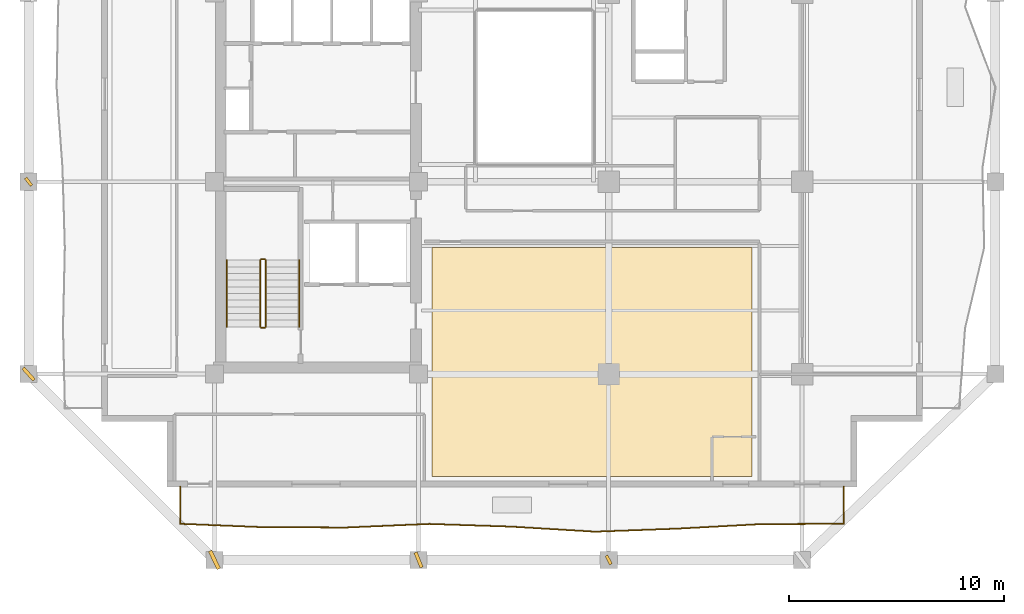
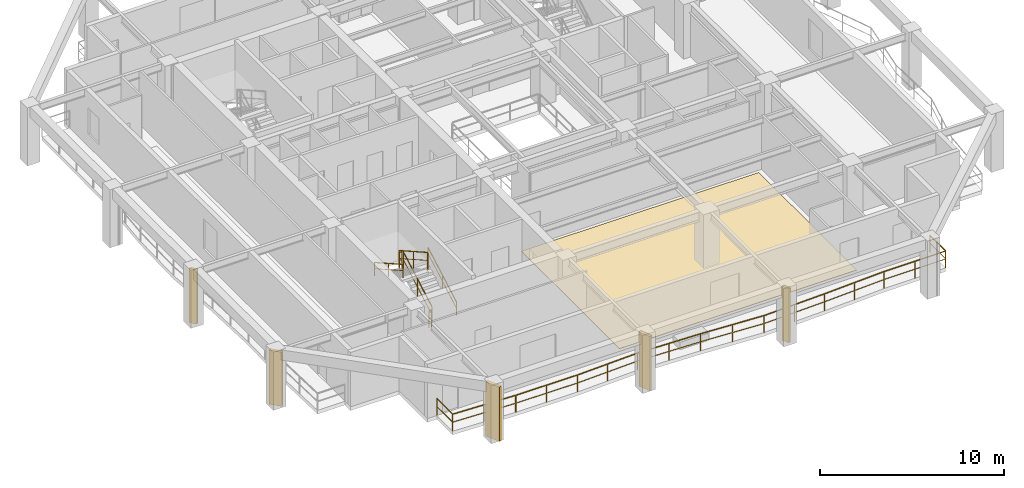
# One storey, part 7 of 10: 7 railings, 5 shading devices, 1 covering.
"""IFC4 building model written with IfcOpenShell, lengths in metres."""

import ifcopenshell
import ifcopenshell.guid

model = None  # the IFC model being written
_history = None  # IfcOwnerHistory: only IFC2X3 demands one
_inside = {}  # id of a spatial element -> (the spatial element, [elements in it])
_under = {}  # id of a project, library or spatial element -> (it, [spatial elements below it])
_declared = {}  # id of a project -> (the project, [libraries it declares])
_typed = {}  # id of a type object -> (the type object, [elements of that type])
_made_of = {}  # id of a material, layer set ... -> (it, [elements and type objects made of it])


def new_model(schema):
    """Start an empty IFC model of exactly this schema.

    Asked for "IFC4X3", IfcOpenShell would pick the latest addendum, in which some entities
    have other attributes; the version numbers below select the first issue.
    IFC2X3 requires an IfcOwnerHistory on every rooted entity: one is made here for all.
    """
    global model, _history
    if schema == "IFC4X3":
        model = ifcopenshell.file(schema_version=(4, 3, 0, 0))
    else:
        model = ifcopenshell.file(schema=schema)
    _inside.clear()
    _under.clear()
    _declared.clear()
    _typed.clear()
    _made_of.clear()
    _history = None
    if model.schema == "IFC2X3":
        org = make("IfcOrganization", Name="unknown")
        user = make(
            "IfcPersonAndOrganization",
            ThePerson=make("IfcPerson", FamilyName="unknown"),
            TheOrganization=org,
        )
        app = make(
            "IfcApplication",
            ApplicationDeveloper=org,
            Version="unknown",
            ApplicationFullName="unknown",
            ApplicationIdentifier="unknown",
        )
        _history = make(
            "IfcOwnerHistory",
            OwningUser=user,
            OwningApplication=app,
            ChangeAction="ADDED",
            CreationDate=0,
        )
    return model


def make(cls, **values):
    """One entity of the class cls with the attributes given. An attribute that is None is left unset."""
    return model.create_entity(
        cls, **{name: value for name, value in values.items() if value is not None}
    )


def rooted(cls, **values):
    """An entity with a GlobalId (a new one), such as an element, a storey or a relation."""
    return make(cls, GlobalId=ifcopenshell.guid.new(), OwnerHistory=_history, **values)


def si_unit(unit_type, name, prefix=None):
    """IfcSIUnit, for example si_unit("LENGTHUNIT", "METRE", prefix="MILLI")."""
    return make("IfcSIUnit", UnitType=unit_type, Prefix=prefix, Name=name)


def assignment(units):
    """IfcUnitAssignment: the units of a project."""
    return None if units is None else make("IfcUnitAssignment", Units=units)


def point(xyz):
    """IfcCartesianPoint."""
    return None if xyz is None else make("IfcCartesianPoint", Coordinates=xyz)


def direction(xyz):
    """IfcDirection."""
    return None if xyz is None else make("IfcDirection", DirectionRatios=xyz)


def frame(location, z_axis=None, x_axis=None):
    """IfcAxis2Placement3D, a coordinate frame: its origin and axes. An axis left out is left unset."""
    return make(
        "IfcAxis2Placement3D",
        Location=point(location),
        Axis=direction(z_axis),
        RefDirection=direction(x_axis),
    )


def frame_2d(location, x_axis=None):
    """IfcAxis2Placement2D, a coordinate frame in the plane: its origin and x axis."""
    return make(
        "IfcAxis2Placement2D", Location=point(location), RefDirection=direction(x_axis)
    )


def origin():
    """The frame at (0, 0, 0) with its axes left unset."""
    return frame((0.0, 0.0, 0.0))


def origin_2d():
    """The frame at (0, 0) in the plane with its x axis left unset."""
    return frame_2d((0.0, 0.0))


def place(relative_to, where):
    """IfcLocalPlacement: puts the frame where relative to a parent placement (None: the world)."""
    return make(
        "IfcLocalPlacement", PlacementRelTo=relative_to, RelativePlacement=where
    )


def context(
    kind, dimensions, precision=None, world=None, true_north=None, identifier=None
):
    """IfcGeometricRepresentationContext, for example the 3D "Model" context."""
    return make(
        "IfcGeometricRepresentationContext",
        ContextIdentifier=identifier,
        ContextType=kind,
        CoordinateSpaceDimension=dimensions,
        Precision=precision,
        WorldCoordinateSystem=world,
        TrueNorth=true_north,
    )


def subcontext(parent, identifier, kind, view, scale=None):
    """IfcGeometricRepresentationSubContext, for example "Body" below "Model"."""
    return make(
        "IfcGeometricRepresentationSubContext",
        ContextIdentifier=identifier,
        ContextType=kind,
        ParentContext=parent,
        TargetScale=scale,
        TargetView=view,
    )


def project(units=None, contexts=None):
    """IfcProject with its units and contexts."""
    return rooted(
        "IfcProject",
        Name="project",
        RepresentationContexts=contexts,
        UnitsInContext=assignment(units),
    )


def spatial(cls, under=None, at=None, **own):
    """A site, building, storey or space (cls), placed at a placement, below another one or the project."""
    s = rooted(cls, ObjectPlacement=at, **own)
    if under is not None:
        _under.setdefault(under.id(), (under, []))[1].append(s)
    return s


def polyline(points):
    """IfcPolyline through the points."""
    return make("IfcPolyline", Points=[point(p) for p in points])


def profile(cls, at=None, kind="AREA", **sizes):
    """A parametric profile (cls). Its sizes go by their IFC names, for example OverallWidth=200.0."""
    return make(cls, ProfileType=kind, Position=at, **sizes)


def rectangle(**sizes):
    """IfcRectangleProfileDef."""
    return profile("IfcRectangleProfileDef", **sizes)


def outline(outer, holes=None, kind="AREA"):
    """IfcArbitraryClosedProfileDef: a profile drawn as a closed curve; with holes, ...WithVoids."""
    if holes is None:
        return make("IfcArbitraryClosedProfileDef", ProfileType=kind, OuterCurve=outer)
    return make(
        "IfcArbitraryProfileDefWithVoids",
        ProfileType=kind,
        OuterCurve=outer,
        InnerCurves=holes,
    )


def extrude(swept, where, along, depth):
    """IfcExtrudedAreaSolid: the profile swept, set in the frame where, extruded along a direction by depth."""
    return make(
        "IfcExtrudedAreaSolid",
        SweptArea=swept,
        Position=where,
        ExtrudedDirection=direction(along),
        Depth=depth,
    )


def shape(context_of_items, identifier, shape_type, items):
    """IfcShapeRepresentation: the items that make up one representation, for example the "Body"."""
    return make(
        "IfcShapeRepresentation",
        ContextOfItems=context_of_items,
        RepresentationIdentifier=identifier,
        RepresentationType=shape_type,
        Items=items,
    )


def material(Name=None, Category=None):
    """IfcMaterial."""
    return make("IfcMaterial", Name=Name, Category=Category)


def layer(
    of_material, thickness, ventilated=None, Name=None, Category=None, Priority=None
):
    """IfcMaterialLayer: one layer of a wall or slab, of a material (None: an air gap)."""
    return make(
        "IfcMaterialLayer",
        Material=of_material,
        LayerThickness=thickness,
        IsVentilated=ventilated,
        Name=Name,
        Category=Category,
        Priority=Priority,
    )


def layer_set(layers, Name=None):
    """IfcMaterialLayerSet."""
    return make("IfcMaterialLayerSet", MaterialLayers=layers, LayerSetName=Name)


def made_of(thing, what):
    """Note that an element or type object is made of a material, layer set ...; save() writes the relation."""
    if what is not None:
        _made_of.setdefault(what.id(), (what, []))[1].append(thing)
    return thing


def type_object(cls, material=None, **own):
    """A type object (cls), such as IfcWallType, which elements share."""
    return made_of(rooted(cls, **own), material)


def element(
    cls,
    number,
    at=None,
    inside=None,
    cuts=None,
    type_object=None,
    material=None,
    context=None,
    identifier="Body",
    shape_type=None,
    held_by="IfcProductDefinitionShape",
    body=None,
    shapes=None,
    **own,
):
    """One element of the class cls, such as IfcWall. Its Tag is "e" and its number.

    at: its placement. inside: the storey or other place that contains it. cuts: it is an
    opening in that element (IfcRelVoidsElement). A single representation is given by context,
    identifier, shape_type and body (its items); several are given by shapes. held_by: the class
    of the entity that holds the representations. save() writes the other relations.
    """
    e = rooted(cls, Tag="e%d" % number, ObjectPlacement=at, **own)
    if body is not None:
        shapes = [shape(context, identifier, shape_type, body)]
    if shapes is not None:
        e.Representation = make(held_by, Representations=shapes)
    if inside is not None:
        _inside.setdefault(inside.id(), (inside, []))[1].append(e)
    if cuts is not None:
        rooted(
            "IfcRelVoidsElement", RelatingBuildingElement=cuts, RelatedOpeningElement=e
        )
    if type_object is not None:
        _typed.setdefault(type_object.id(), (type_object, []))[1].append(e)
    return made_of(e, material)


def aggregate(whole, parts):
    """IfcRelAggregates: a whole, such as a stair, and the parts it consists of."""
    return rooted("IfcRelAggregates", RelatingObject=whole, RelatedObjects=parts)


def save(model, path):
    """Write the relations noted so far, then the file.

    IfcRelAggregates (storeys below a building ...), IfcRelContainedInSpatialStructure (elements
    in a storey), IfcRelDefinesByType, IfcRelAssociatesMaterial and IfcRelDeclares: one each for
    every whole, place, type object, material and project.
    """
    for whole, parts in _under.values():
        aggregate(whole, parts)
    for where, things in _inside.values():
        rooted(
            "IfcRelContainedInSpatialStructure",
            RelatedElements=things,
            RelatingStructure=where,
        )
    for kind, things in _typed.values():
        rooted("IfcRelDefinesByType", RelatedObjects=things, RelatingType=kind)
    for what, things in _made_of.values():
        rooted("IfcRelAssociatesMaterial", RelatedObjects=things, RelatingMaterial=what)
    for by, libraries in _declared.values():
        rooted("IfcRelDeclares", RelatingContext=by, RelatedDefinitions=libraries)
    model.write(path)


model = new_model("IFC4")

# Units and contexts
model_context = context("Model", 3, precision=1e-05, world=origin(), true_north=direction((0.0, 1.0)))
body_context = subcontext(model_context, "Body", "Model", "MODEL_VIEW")
ifc_project = project(units=[si_unit("LENGTHUNIT", "METRE"), si_unit("AREAUNIT", "SQUARE_METRE"), si_unit("VOLUMEUNIT", "CUBIC_METRE"), si_unit("PLANEANGLEUNIT", "RADIAN"), si_unit("MASSUNIT", "GRAM", prefix="KILO")], contexts=[model_context])

# Site, building, storey
site_placement = place(None, origin())
site = spatial("IfcSite", under=ifc_project, at=site_placement, CompositionType="ELEMENT")
building_placement = place(site_placement, origin())
building = spatial("IfcBuilding", under=site, at=building_placement, Name="Kundavana Baori Tower", CompositionType="ELEMENT")
storey_placement = place(building_placement, frame((0.0, 0.0, 111.699951171875)))
storey = spatial("IfcBuildingStorey", under=building, at=storey_placement, Name="L26", CompositionType="ELEMENT", Elevation=111.699951171875)

# Covering
ifc_material_1 = material(Name="Honed Kota Stone and Terrazzo Flooring", Category="masonry")
ifc_layer = layer(ifc_material_1, 0.030029296875, Name="COV-INT-FLR")
ifc_layer_set = layer_set([ifc_layer], Name="Honed Kota Stone and Terrazzo Flooring")
covering_type = type_object("IfcCoveringType", Name="COV-INT-FLR", PredefinedType="FLOORING", material=ifc_layer_set)
covering_placement = place(storey_placement, origin())
element("IfcCovering", 1, at=covering_placement, inside=storey, type_object=covering_type, Name="L26 Room Finished Stone Flooring 2", PredefinedType="FLOORING", context=body_context, shape_type="SweptSolid", body=[
    extrude(outline(polyline([(25.580078125, 10.47998046875), (40.4599609375, 10.47998046875), (40.4599609375, 21.139892578125), (25.580078125, 21.139892578125), (25.580078125, 10.47998046875)])), origin(), (0.0, 0.0, 1.0), 0.030029296875),
])

# Railings
ifc_material_2 = material(Name="Architectural Patinated Bronze Metalwork")
railing_type_1 = type_object("IfcRailingType", Name="RL-BAL-1150", PredefinedType="BALUSTRADE", material=ifc_material_2)
railing_1_placement = place(storey_placement, frame((44.75, 10.0, 0.0)))
element("IfcRailing", 2, at=railing_1_placement, inside=storey, type_object=railing_type_1, Name="L26 Loggia Balcony Balustrade S", PredefinedType="BALUSTRADE", context=body_context, shape_type="SweptSolid", body=[
    extrude(rectangle(XDim=0.048095703125, YDim=0.048095703125, at=origin_2d()), frame((0.0, 0.0, 1.1259765625), z_axis=(0.0, -1.0, 0.0), x_axis=(1.0, 0.0, 0.0)), (0.0, 0.0, 1.0), 1.719970703125),
    extrude(rectangle(XDim=0.03125, YDim=0.03125, at=origin_2d()), frame((0.0, 0.0, 0.597900390625), z_axis=(0.0, -1.0, 0.0), x_axis=(1.0, 0.0, 0.0)), (0.0, 0.0, 1.0), 1.719970703125),
    extrude(rectangle(XDim=0.048095703125, YDim=0.048095703125, at=origin_2d()), frame((0.0, -1.719970703125, 1.1259765625), z_axis=(-0.999991300895, -0.004171106987, 0.0), x_axis=(0.004171106987, -0.999991300895, 0.0)), (0.0, 0.0, 1.0), 3.863037109375),
    extrude(rectangle(XDim=0.03125, YDim=0.03125, at=origin_2d()), frame((0.0, -1.719970703125, 0.597900390625), z_axis=(-0.999991300895, -0.004171106987, 0.0), x_axis=(0.004171106987, -0.999991300895, 0.0)), (0.0, 0.0, 1.0), 3.863037109375),
    extrude(rectangle(XDim=0.048095703125, YDim=0.048095703125, at=origin_2d()), frame((-3.863037109375, -1.736083984375, 1.1259765625), z_axis=(-0.998525490853, -0.054284842413, 0.0), x_axis=(0.054284842413, -0.998525490853, 0.0)), (0.0, 0.0, 1.0), 3.86767578125),
    extrude(rectangle(XDim=0.03125, YDim=0.03125, at=origin_2d()), frame((-3.863037109375, -1.736083984375, 0.597900390625), z_axis=(-0.998525490853, -0.054284842413, 0.0), x_axis=(0.054284842413, -0.998525490853, 0.0)), (0.0, 0.0, 1.0), 3.86767578125),
    extrude(rectangle(XDim=0.048095703125, YDim=0.048095703125, at=origin_2d()), frame((-7.72509765625, -1.946044921875, 1.1259765625), z_axis=(-0.999326124041, -0.036705555574, 0.0), x_axis=(0.036705555574, -0.999326124041, 0.0)), (0.0, 0.0, 1.0), 3.864501953125),
    extrude(rectangle(XDim=0.03125, YDim=0.03125, at=origin_2d()), frame((-7.72509765625, -1.946044921875, 0.597900390625), z_axis=(-0.999326124041, -0.036705555574, 0.0), x_axis=(0.036705555574, -0.999326124041, 0.0)), (0.0, 0.0, 1.0), 3.864501953125),
    extrude(rectangle(XDim=0.048095703125, YDim=0.048095703125, at=origin_2d()), frame((-11.5869140625, -2.087890625, 1.1259765625), z_axis=(-0.998187378903, 0.060182693514, 0.0), x_axis=(-0.060182693514, -0.998187378903, 0.0)), (0.0, 0.0, 1.0), 3.8701171875),
    extrude(rectangle(XDim=0.03125, YDim=0.03125, at=origin_2d()), frame((-11.5869140625, -2.087890625, 0.597900390625), z_axis=(-0.998187378903, 0.060182693514, 0.0), x_axis=(-0.060182693514, -0.998187378903, 0.0)), (0.0, 0.0, 1.0), 3.8701171875),
    extrude(rectangle(XDim=0.048095703125, YDim=0.048095703125, at=origin_2d()), frame((-15.449951171875, -1.85498046875, 1.1259765625), z_axis=(-0.999451827418, 0.033106565369, 0.0), x_axis=(-0.033106565369, -0.999451827418, 0.0)), (0.0, 0.0, 1.0), 3.8642578125),
    extrude(rectangle(XDim=0.03125, YDim=0.03125, at=origin_2d()), frame((-15.449951171875, -1.85498046875, 0.597900390625), z_axis=(-0.999451827418, 0.033106565369, 0.0), x_axis=(-0.033106565369, -0.999451827418, 0.0)), (0.0, 0.0, 1.0), 3.8642578125),
    extrude(rectangle(XDim=0.048095703125, YDim=0.048095703125, at=origin_2d()), frame((-19.31201171875, -1.72705078125, 1.1259765625), z_axis=(-0.99905603922, -0.043439964291, 0.0), x_axis=(0.043439964291, -0.99905603922, 0.0)), (0.0, 0.0, 1.0), 3.86669921875),
    extrude(rectangle(XDim=0.03125, YDim=0.03125, at=origin_2d()), frame((-19.31201171875, -1.72705078125, 0.597900390625), z_axis=(-0.99905603922, -0.043439964291, 0.0), x_axis=(0.043439964291, -0.99905603922, 0.0)), (0.0, 0.0, 1.0), 3.86669921875),
    extrude(rectangle(XDim=0.048095703125, YDim=0.048095703125, at=origin_2d()), frame((-23.175048828125, -1.89501953125, 1.1259765625), z_axis=(-0.999992323368, 0.003918316631, 0.0), x_axis=(-0.003918316631, -0.999992323368, 0.0)), (0.0, 0.0, 1.0), 3.863037109375),
    extrude(rectangle(XDim=0.03125, YDim=0.03125, at=origin_2d()), frame((-23.175048828125, -1.89501953125, 0.597900390625), z_axis=(-0.999992323368, 0.003918316631, 0.0), x_axis=(-0.003918316631, -0.999992323368, 0.0)), (0.0, 0.0, 1.0), 3.863037109375),
    extrude(rectangle(XDim=0.048095703125, YDim=0.048095703125, at=origin_2d()), frame((-27.0380859375, -1.8798828125, 1.1259765625), z_axis=(-0.999143768112, 0.04137306664, 0.0), x_axis=(-0.04137306664, -0.999143768112, 0.0)), (0.0, 0.0, 1.0), 3.865234375),
    extrude(rectangle(XDim=0.03125, YDim=0.03125, at=origin_2d()), frame((-27.0380859375, -1.8798828125, 0.597900390625), z_axis=(-0.999143768112, 0.04137306664, 0.0), x_axis=(-0.04137306664, -0.999143768112, 0.0)), (0.0, 0.0, 1.0), 3.865234375),
    extrude(rectangle(XDim=0.048095703125, YDim=0.048095703125, at=origin_2d()), frame((-30.89990234375, -1.719970703125, 1.1259765625), z_axis=(0.0, 1.0, 0.0), x_axis=(-1.0, 0.0, 0.0)), (0.0, 0.0, 1.0), 1.719970703125),
    extrude(rectangle(XDim=0.03125, YDim=0.03125, at=origin_2d()), frame((-30.89990234375, -1.719970703125, 0.597900390625), z_axis=(0.0, 1.0, 0.0), x_axis=(-1.0, 0.0, 0.0)), (0.0, 0.0, 1.0), 1.719970703125),
    extrude(rectangle(XDim=0.0419921875, YDim=0.0419921875, at=origin_2d()), origin(), (0.0, 0.0, 1.0), 1.101806640625),
    extrude(rectangle(XDim=0.0419921875, YDim=0.0419921875, at=origin_2d()), frame((0.0, -1.719970703125, 0.0)), (0.0, 0.0, 1.0), 1.101806640625),
    extrude(rectangle(XDim=0.0419921875, YDim=0.0419921875, at=origin_2d()), frame((-1.931640625, -1.72802734375, 0.0)), (0.0, 0.0, 1.0), 1.101806640625),
    extrude(rectangle(XDim=0.0419921875, YDim=0.0419921875, at=origin_2d()), frame((-3.863037109375, -1.736083984375, 0.0)), (0.0, 0.0, 1.0), 1.101806640625),
    extrude(rectangle(XDim=0.0419921875, YDim=0.0419921875, at=origin_2d()), frame((-5.7939453125, -1.841064453125, 0.0)), (0.0, 0.0, 1.0), 1.101806640625),
    extrude(rectangle(XDim=0.0419921875, YDim=0.0419921875, at=origin_2d()), frame((-7.72509765625, -1.946044921875, 0.0)), (0.0, 0.0, 1.0), 1.101806640625),
    extrude(rectangle(XDim=0.0419921875, YDim=0.0419921875, at=origin_2d()), frame((-9.656005859375, -2.01708984375, 0.0)), (0.0, 0.0, 1.0), 1.101806640625),
    extrude(rectangle(XDim=0.0419921875, YDim=0.0419921875, at=origin_2d()), frame((-11.5869140625, -2.087890625, 0.0)), (0.0, 0.0, 1.0), 1.101806640625),
    extrude(rectangle(XDim=0.0419921875, YDim=0.0419921875, at=origin_2d()), frame((-13.5185546875, -1.971435546875, 0.0)), (0.0, 0.0, 1.0), 1.101806640625),
    extrude(rectangle(XDim=0.0419921875, YDim=0.0419921875, at=origin_2d()), frame((-15.449951171875, -1.85498046875, 0.0)), (0.0, 0.0, 1.0), 1.101806640625),
    extrude(rectangle(XDim=0.0419921875, YDim=0.0419921875, at=origin_2d()), frame((-17.380859375, -1.791015625, 0.0)), (0.0, 0.0, 1.0), 1.101806640625),
    extrude(rectangle(XDim=0.0419921875, YDim=0.0419921875, at=origin_2d()), frame((-19.31201171875, -1.72705078125, 0.0)), (0.0, 0.0, 1.0), 1.101806640625),
    extrude(rectangle(XDim=0.0419921875, YDim=0.0419921875, at=origin_2d()), frame((-21.24365234375, -1.81103515625, 0.0)), (0.0, 0.0, 1.0), 1.101806640625),
    extrude(rectangle(XDim=0.0419921875, YDim=0.0419921875, at=origin_2d()), frame((-23.175048828125, -1.89501953125, 0.0)), (0.0, 0.0, 1.0), 1.101806640625),
    extrude(rectangle(XDim=0.0419921875, YDim=0.0419921875, at=origin_2d()), frame((-25.1064453125, -1.887451171875, 0.0)), (0.0, 0.0, 1.0), 1.101806640625),
    extrude(rectangle(XDim=0.0419921875, YDim=0.0419921875, at=origin_2d()), frame((-27.0380859375, -1.8798828125, 0.0)), (0.0, 0.0, 1.0), 1.101806640625),
    extrude(rectangle(XDim=0.0419921875, YDim=0.0419921875, at=origin_2d()), frame((-28.968994140625, -1.7998046875, 0.0)), (0.0, 0.0, 1.0), 1.101806640625),
    extrude(rectangle(XDim=0.0419921875, YDim=0.0419921875, at=origin_2d()), frame((-30.89990234375, -1.719970703125, 0.0)), (0.0, 0.0, 1.0), 1.101806640625),
    extrude(rectangle(XDim=0.0419921875, YDim=0.0419921875, at=origin_2d()), frame((-30.89990234375, 0.0, 0.0)), (0.0, 0.0, 1.0), 1.101806640625),
])
ifc_material_3 = material(Name="Architectural Patinated Bronze Metalwork")
railing_type_2 = type_object("IfcRailingType", Name="RL-GRD-1150", PredefinedType="GUARDRAIL", material=ifc_material_3)
railing_2_placement = place(storey_placement, frame((17.840087890625, 17.449951171875, 0.175048828125)))
element("IfcRailing", 3, at=railing_2_placement, inside=storey, type_object=railing_type_2, Name="L26 ST1 stair guard 1", PredefinedType="GUARDRAIL", context=body_context, shape_type="SweptSolid", body=[
    extrude(rectangle(XDim=0.048095703125, YDim=0.048095703125, at=origin_2d()), frame((0.0, 0.0, 1.1259765625), z_axis=(0.0, 0.870830938388, 0.491582624537), x_axis=(-1.0, 0.0, 0.0)), (0.0, 0.0, 1.0), 3.559814453125),
    extrude(rectangle(XDim=0.03125, YDim=0.03125, at=origin_2d()), frame((0.0, 0.0, 0.597900390625), z_axis=(0.0, 0.870830938388, 0.491582624537), x_axis=(-1.0, 0.0, 0.0)), (0.0, 0.0, 1.0), 3.559814453125),
    extrude(rectangle(XDim=0.0419921875, YDim=0.0419921875, at=origin_2d()), origin(), (0.0, 0.0, 1.0), 1.101806640625),
    extrude(rectangle(XDim=0.0419921875, YDim=0.0419921875, at=origin_2d()), frame((0.0, 1.550048828125, 0.875)), (0.0, 0.0, 1.0), 1.101806640625),
    extrude(rectangle(XDim=0.0419921875, YDim=0.0419921875, at=origin_2d()), frame((0.0, 3.10009765625, 1.75)), (0.0, 0.0, 1.0), 1.101806640625),
])
railing_3_placement = place(storey_placement, frame((17.7900390625, 20.60009765625, 1.925048828125)))
element("IfcRailing", 4, at=railing_3_placement, inside=storey, type_object=railing_type_2, Name="L26 ST1 stair guard 2", PredefinedType="GUARDRAIL", context=body_context, shape_type="SweptSolid", body=[
    extrude(rectangle(XDim=0.048095703125, YDim=0.048095703125, at=origin_2d()), frame((0.0, 0.0, 1.1259765625), z_axis=(-1.0, 0.0, 0.0), x_axis=(0.0, -1.0, 0.0)), (0.0, 0.0, 1.0), 0.16015625),
    extrude(rectangle(XDim=0.03125, YDim=0.03125, at=origin_2d()), frame((0.0, 0.0, 0.597900390625), z_axis=(-1.0, 0.0, 0.0), x_axis=(0.0, -1.0, 0.0)), (0.0, 0.0, 1.0), 0.16015625),
    extrude(rectangle(XDim=0.0419921875, YDim=0.0419921875, at=origin_2d()), origin(), (0.0, 0.0, 1.0), 1.101806640625),
    extrude(rectangle(XDim=0.0419921875, YDim=0.0419921875, at=origin_2d()), frame((-0.16015625, 0.0, 0.0)), (0.0, 0.0, 1.0), 1.101806640625),
])
railing_4_placement = place(storey_placement, frame((17.580078125, 20.550048828125, 2.10009765625)))
element("IfcRailing", 5, at=railing_4_placement, inside=storey, type_object=railing_type_2, Name="L26 ST1 stair guard 3", PredefinedType="GUARDRAIL", context=body_context, shape_type="SweptSolid", body=[
    extrude(rectangle(XDim=0.048095703125, YDim=0.048095703125, at=origin_2d()), frame((0.0, 0.0, 1.1259765625), z_axis=(0.0, -0.870830938388, 0.491582624537), x_axis=(1.0, 0.0, 0.0)), (0.0, 0.0, 1.0), 3.559814453125),
    extrude(rectangle(XDim=0.03125, YDim=0.03125, at=origin_2d()), frame((0.0, 0.0, 0.597900390625), z_axis=(0.0, -0.870830938388, 0.491582624537), x_axis=(1.0, 0.0, 0.0)), (0.0, 0.0, 1.0), 3.559814453125),
    extrude(rectangle(XDim=0.0419921875, YDim=0.0419921875, at=origin_2d()), origin(), (0.0, 0.0, 1.0), 1.101806640625),
    extrude(rectangle(XDim=0.0419921875, YDim=0.0419921875, at=origin_2d()), frame((0.0, -1.550048828125, 0.875)), (0.0, 0.0, 1.0), 1.101806640625),
    extrude(rectangle(XDim=0.0419921875, YDim=0.0419921875, at=origin_2d()), frame((0.0, -3.10009765625, 1.75)), (0.0, 0.0, 1.0), 1.101806640625),
])
railing_5_placement = place(storey_placement, frame((17.7900390625, 17.39990234375, 0.0)))
element("IfcRailing", 6, at=railing_5_placement, inside=storey, type_object=railing_type_2, Name="L26 ST1 stair guard 4", PredefinedType="GUARDRAIL", context=body_context, shape_type="SweptSolid", body=[
    extrude(rectangle(XDim=0.048095703125, YDim=0.048095703125, at=origin_2d()), frame((0.0, 0.0, 1.1259765625), z_axis=(-1.0, 0.0, 0.0), x_axis=(0.0, -1.0, 0.0)), (0.0, 0.0, 1.0), 0.16015625),
    extrude(rectangle(XDim=0.03125, YDim=0.03125, at=origin_2d()), frame((0.0, 0.0, 0.597900390625), z_axis=(-1.0, 0.0, 0.0), x_axis=(0.0, -1.0, 0.0)), (0.0, 0.0, 1.0), 0.16015625),
    extrude(rectangle(XDim=0.0419921875, YDim=0.0419921875, at=origin_2d()), origin(), (0.0, 0.0, 1.0), 1.101806640625),
    extrude(rectangle(XDim=0.0419921875, YDim=0.0419921875, at=origin_2d()), frame((-0.16015625, 0.0, 0.0)), (0.0, 0.0, 1.0), 1.101806640625),
])
ifc_material_4 = material(Name="Architectural Patinated Bronze Metalwork")
railing_type_3 = type_object("IfcRailingType", Name="RL-HND-920", PredefinedType="HANDRAIL", material=ifc_material_4)
railing_6_placement = place(storey_placement, frame((19.389892578125, 17.449951171875, 0.175048828125)))
element("IfcRailing", 7, at=railing_6_placement, inside=storey, type_object=railing_type_3, Name="L26 ST1 stair handrail 1", PredefinedType="HANDRAIL", context=body_context, shape_type="SweptSolid", body=[
    extrude(rectangle(XDim=0.048095703125, YDim=0.048095703125, at=origin_2d()), frame((0.0, 0.0, 0.8759765625), z_axis=(0.0, 0.870830938388, 0.491582624537), x_axis=(-1.0, 0.0, 0.0)), (0.0, 0.0, 1.0), 3.559814453125),
    extrude(rectangle(XDim=0.03125, YDim=0.03125, at=origin_2d()), frame((0.0, 0.0, 0.468017578125), z_axis=(0.0, 0.870830938388, 0.491582624537), x_axis=(-1.0, 0.0, 0.0)), (0.0, 0.0, 1.0), 3.559814453125),
    extrude(rectangle(XDim=0.0419921875, YDim=0.0419921875, at=origin_2d()), origin(), (0.0, 0.0, 1.0), 0.851806640625),
    extrude(rectangle(XDim=0.0419921875, YDim=0.0419921875, at=origin_2d()), frame((0.0, 1.550048828125, 0.875)), (0.0, 0.0, 1.0), 0.851806640625),
    extrude(rectangle(XDim=0.0419921875, YDim=0.0419921875, at=origin_2d()), frame((0.0, 3.10009765625, 1.75)), (0.0, 0.0, 1.0), 0.851806640625),
])
railing_7_placement = place(storey_placement, frame((16.030029296875, 20.550048828125, 2.10009765625)))
element("IfcRailing", 8, at=railing_7_placement, inside=storey, type_object=railing_type_3, Name="L26 ST1 stair handrail 2", PredefinedType="HANDRAIL", context=body_context, shape_type="SweptSolid", body=[
    extrude(rectangle(XDim=0.048095703125, YDim=0.048095703125, at=origin_2d()), frame((0.0, 0.0, 0.8759765625), z_axis=(0.0, -0.870830938388, 0.491582624537), x_axis=(1.0, 0.0, 0.0)), (0.0, 0.0, 1.0), 3.559814453125),
    extrude(rectangle(XDim=0.03125, YDim=0.03125, at=origin_2d()), frame((0.0, 0.0, 0.468017578125), z_axis=(0.0, -0.870830938388, 0.491582624537), x_axis=(1.0, 0.0, 0.0)), (0.0, 0.0, 1.0), 3.559814453125),
    extrude(rectangle(XDim=0.0419921875, YDim=0.0419921875, at=origin_2d()), origin(), (0.0, 0.0, 1.0), 0.851806640625),
    extrude(rectangle(XDim=0.0419921875, YDim=0.0419921875, at=origin_2d()), frame((0.0, -1.550048828125, 0.875)), (0.0, 0.0, 1.0), 0.851806640625),
    extrude(rectangle(XDim=0.0419921875, YDim=0.0419921875, at=origin_2d()), frame((0.0, -3.10009765625, 1.75)), (0.0, 0.0, 1.0), 0.851806640625),
])

# Shading devices
ifc_material_5 = material(Name="Red-Buff Dholpur Sandstone Cladding on Concrete C40/50", Category="masonry")
shading_device_type_1 = type_object("IfcShadingDeviceType", Name="SHD-FIN-750", PredefinedType="JALOUSIE", material=ifc_material_5)
for number, where, z_axis, x_axis, name in (
    (9, (24.949951171875, 6.60009765625, 0.0), (0.0, 0.0, 1.0), (0.92685659564, 0.375415571225, 0.0), "L26 Sweeping Dholpur Sandstone Facade Fin 2"),
    (10, (6.800048828125, 15.25, 0.0), (0.0, 0.0, 1.0), (0.74326159948, 0.669000892928, 0.0), "L26 Sweeping Dholpur Sandstone Facade Fin 5"),
):
    element("IfcShadingDevice", number, at=place(storey_placement, frame(where, z_axis=z_axis, x_axis=x_axis)), inside=storey, type_object=shading_device_type_1, Name=name, PredefinedType="JALOUSIE", context=body_context, shape_type="SweptSolid", body=[
        extrude(rectangle(XDim=0.159912109375, YDim=0.75, at=origin_2d()), origin(), (0.0, 0.0, 1.0), 3.60009765625),
    ])
ifc_material_6 = material(Name="Red-Buff Dholpur Sandstone Cladding on Concrete C40/50", Category="masonry")
shading_device_type_2 = type_object("IfcShadingDeviceType", Name="SHD-FIN-920", PredefinedType="JALOUSIE", material=ifc_material_6)
shading_device_placement = place(storey_placement, frame((15.449951171875, 6.60009765625, 0.0), z_axis=(0.0, 0.0, 1.0), x_axis=(0.900698239323, 0.434445257404, 0.0)))
element("IfcShadingDevice", 11, at=shading_device_placement, inside=storey, type_object=shading_device_type_2, Name="L26 Sweeping Dholpur Sandstone Facade Fin 1", PredefinedType="JALOUSIE", context=body_context, shape_type="SweptSolid", body=[
    extrude(rectangle(XDim=0.179931640625, YDim=0.919921875, at=origin_2d()), origin(), (0.0, 0.0, 1.0), 3.60009765625),
])
ifc_material_7 = material(Name="Architectural Patinated Bronze Metalwork")
shading_device_type_3 = type_object("IfcShadingDeviceType", Name="SHD-LOUV-450", PredefinedType="SHUTTER", material=ifc_material_7)
for number, where, z_axis, x_axis, name in (
    (12, (33.800048828125, 6.60009765625, 0.0), (0.0, 0.0, 1.0), (0.887010833178, 0.461748613235, 0.0), "L26 Sweeping Dholpur Sandstone Facade Fin 3"),
    (13, (6.800048828125, 24.199951171875, 0.0), (0.0, 0.0, 1.0), (0.791116789314, 0.611665125429, 0.0), "L26 Sweeping Dholpur Sandstone Facade Fin 6"),
):
    element("IfcShadingDevice", number, at=place(storey_placement, frame(where, z_axis=z_axis, x_axis=x_axis)), inside=storey, type_object=shading_device_type_3, Name=name, PredefinedType="SHUTTER", context=body_context, shape_type="SweptSolid", body=[
        extrude(rectangle(XDim=0.139892578125, YDim=0.449951171875, at=origin_2d()), origin(), (0.0, 0.0, 1.0), 3.60009765625),
    ])

save(model, "model.ifc")
